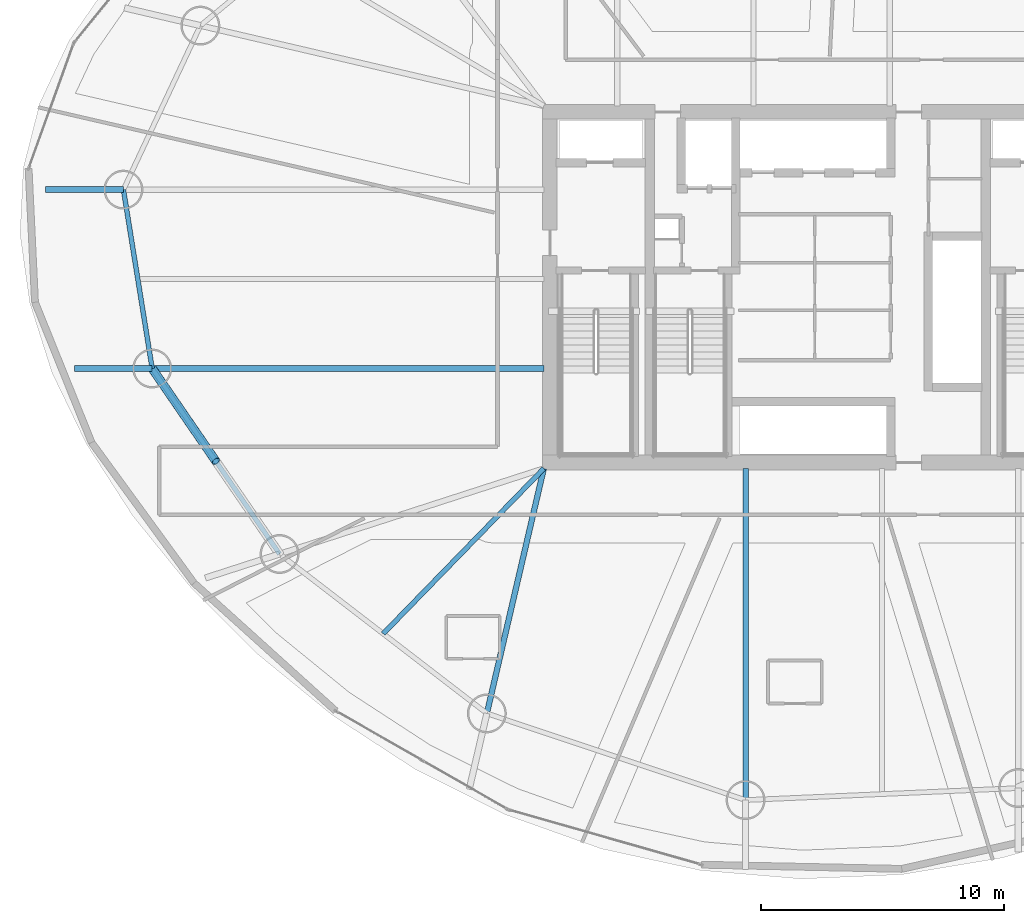
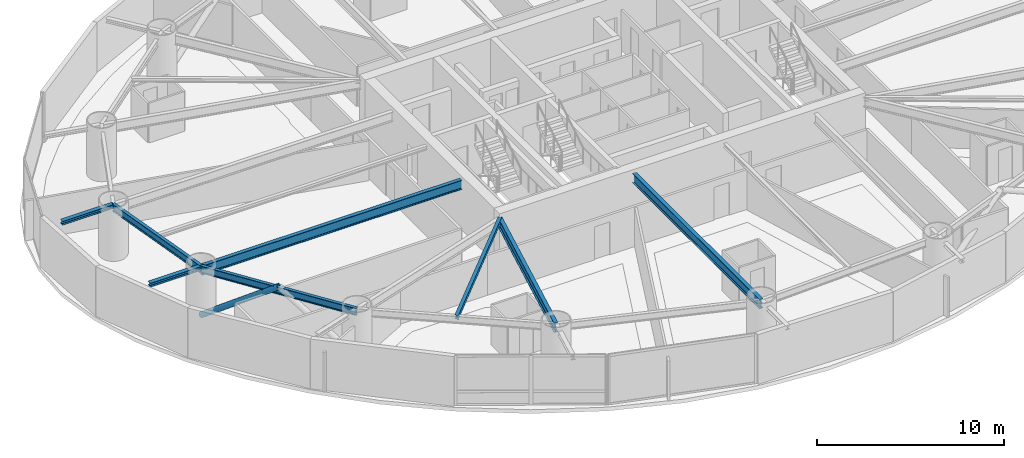
# One storey, part 4 of 23: 8 beams, 1 member.
"""IFC4 building model written with IfcOpenShell, lengths in metres."""

from ifc_helpers import new_model, si_unit, direction, frame, origin, origin_2d, place, context, subcontext, project, spatial, hollow_circle, i_section, extrude, material, material_profile, profile_set, type_object, element, save


model = new_model("IFC4")

# Units and contexts
model_context = context("Model", 3, precision=1e-05, world=origin(), true_north=direction((0.0, 1.0)))
body_context = subcontext(model_context, "Body", "Model", "MODEL_VIEW")
ifc_project = project(units=[si_unit("LENGTHUNIT", "METRE"), si_unit("AREAUNIT", "SQUARE_METRE"), si_unit("VOLUMEUNIT", "CUBIC_METRE"), si_unit("PLANEANGLEUNIT", "RADIAN"), si_unit("MASSUNIT", "GRAM", prefix="KILO")], contexts=[model_context])

# Site, building, storey
site_placement = place(None, origin())
site = spatial("IfcSite", under=ifc_project, at=site_placement, CompositionType="ELEMENT")
building_placement = place(site_placement, origin())
building = spatial("IfcBuilding", under=site, at=building_placement, Name="Bramvorn Convention Spire", CompositionType="ELEMENT")
storey_placement = place(building_placement, frame((0.0, 0.0, 69.39990234375)))
storey = spatial("IfcBuildingStorey", under=building, at=storey_placement, Name="L15", CompositionType="ELEMENT", Elevation=69.39990234375)

# Beams
ifc_material = material(Name="Steel CSA G40.21 Grade 350 (350W)", Category="steel")
ifc_material_profile_1 = material_profile(ifc_material, i_section(OverallWidth=0.201904296875, OverallDepth=0.2470703125, WebThickness=0.00732421875, FlangeThickness=0.010986328125, FilletRadius=0.011962890625, at=origin_2d()))
ifc_profile_set_1 = profile_set([ifc_material_profile_1], Name="Steel CSA G40.21 Grade 350 (350W) - W250X49")
beam_type_1 = type_object("IfcBeamType", Name="BM-W250X49", PredefinedType="JOIST", material=ifc_profile_set_1)
beam_1_placement = place(storey_placement, frame((26.75, 18.550048828125, 3.126708984375), z_axis=(-0.697157225069, -0.716918268378, 0.0), x_axis=(0.716918268378, -0.697157225069, 0.0)))
element("IfcBeam", 1, at=beam_1_placement, inside=storey, type_object=beam_type_1, Name="L15 composite floor joist 11", PredefinedType="JOIST", context=body_context, shape_type="SweptSolid", body=[
    extrude(i_section(OverallWidth=0.201904296875, OverallDepth=0.2470703125, WebThickness=0.00732421875, FlangeThickness=0.010986328125, FilletRadius=0.011962890625, at=origin_2d()), origin(), (0.0, 0.0, 1.0), 9.463623046875),
])
ifc_material_profile_2 = material_profile(ifc_material, i_section(OverallWidth=0.25390625, OverallDepth=0.2529296875, WebThickness=0.008544921875, FlangeThickness=0.01416015625, FilletRadius=0.011962890625, at=origin_2d()))
ifc_profile_set_2 = profile_set([ifc_material_profile_2], Name="Steel CSA G40.21 Grade 350 (350W) - W250X73")
beam_type_2 = type_object("IfcBeamType", Name="BM-W250X73", PredefinedType="BEAM", material=ifc_profile_set_2)
for number, where, z_axis, x_axis, name in (
    (2, (9.480224609375, 30.00830078125, 3.12353515625), (-1.0, 0.0, 0.0), (0.0, -1.0, 0.0), "L15 slab-edge cantilever tip beam MC09"),
    (3, (10.661376953125, 22.659912109375, 3.12353515625), (-1.0, 0.0, 0.0), (0.0, -1.0, 0.0), "L15 slab-edge cantilever tip beam MC10"),
):
    element("IfcBeam", number, at=place(storey_placement, frame(where, z_axis=z_axis, x_axis=x_axis)), inside=storey, type_object=beam_type_2, Name=name, PredefinedType="BEAM", context=body_context, shape_type="SweptSolid", body=[
        extrude(i_section(OverallWidth=0.25390625, OverallDepth=0.2529296875, WebThickness=0.008544921875, FlangeThickness=0.01416015625, FilletRadius=0.011962890625, at=origin_2d()), origin(), (0.0, 0.0, 1.0), 3.199951171875),
    ])
ifc_material_profile_3 = material_profile(ifc_material, i_section(OverallWidth=0.194091796875, OverallDepth=0.468994140625, WebThickness=0.0126953125, FlangeThickness=0.0205078125, FilletRadius=0.01806640625, at=origin_2d()))
ifc_profile_set_3 = profile_set([ifc_material_profile_3], Name="Steel CSA G40.21 Grade 350 (350W) - W460X106")
beam_type_3 = type_object("IfcBeamType", Name="BM-W460X106", PredefinedType="SPANDREL", material=ifc_profile_set_3)
beam_2_placement = place(storey_placement, frame((9.480224609375, 30.00830078125, 3.015625), z_axis=(0.158699222824, -0.987326975563, 0.0), x_axis=(0.987326975563, 0.158699222824, 0.0)))
element("IfcBeam", 4, at=beam_2_placement, inside=storey, type_object=beam_type_3, Name="L15 mega-column ring beam 09", PredefinedType="SPANDREL", context=body_context, shape_type="SweptSolid", body=[
    extrude(i_section(OverallWidth=0.194091796875, OverallDepth=0.468994140625, WebThickness=0.0126953125, FlangeThickness=0.0205078125, FilletRadius=0.01806640625, at=origin_2d()), origin(), (0.0, 0.0, 1.0), 7.442626953125),
])
beam_3_placement = place(storey_placement, frame((10.661376953125, 22.659912109375, 3.015625), z_axis=(0.566129730789, -0.824316157743, 0.0), x_axis=(0.824316157743, 0.566129730789, 0.0)))
element("IfcBeam", 5, at=beam_3_placement, inside=storey, type_object=beam_type_3, Name="L15 mega-column ring beam 10", PredefinedType="SPANDREL", context=body_context, shape_type="SweptSolid", body=[
    extrude(i_section(OverallWidth=0.194091796875, OverallDepth=0.468994140625, WebThickness=0.0126953125, FlangeThickness=0.0205078125, FilletRadius=0.01806640625, at=origin_2d()), origin(), (0.0, 0.0, 1.0), 9.244140625),
])
ifc_material_profile_4 = material_profile(ifc_material, i_section(OverallWidth=0.22998046875, OverallDepth=0.616943359375, WebThickness=0.01318359375, FlangeThickness=0.022216796875, FilletRadius=0.02001953125, at=origin_2d()))
ifc_profile_set_4 = profile_set([ifc_material_profile_4], Name="Steel CSA G40.21 Grade 350 (350W) - W610X140")
beam_type_4 = type_object("IfcBeamType", Name="BM-W610X140", PredefinedType="BEAM", material=ifc_profile_set_4)
beam_4_placement = place(storey_placement, frame((26.75, 22.659912109375, 2.941650390625), z_axis=(-1.0, 0.0, 0.0), x_axis=(0.0, -1.0, 0.0)))
element("IfcBeam", 6, at=beam_4_placement, inside=storey, type_object=beam_type_4, Name="L15 radial floor girder MC10", PredefinedType="BEAM", context=body_context, shape_type="SweptSolid", body=[
    extrude(i_section(OverallWidth=0.22998046875, OverallDepth=0.616943359375, WebThickness=0.01318359375, FlangeThickness=0.022216796875, FilletRadius=0.02001953125, at=origin_2d()), origin(), (0.0, 0.0, 1.0), 16.088623046875),
])
beam_5_placement = place(storey_placement, frame((26.75, 18.550048828125, 2.941650390625), z_axis=(-0.226606328522, -0.973986433106, 0.0), x_axis=(0.973986433106, -0.226606328522, 0.0)))
element("IfcBeam", 7, at=beam_5_placement, inside=storey, type_object=beam_type_4, Name="L15 radial floor girder MC12", PredefinedType="BEAM", context=body_context, shape_type="SweptSolid", body=[
    extrude(i_section(OverallWidth=0.22998046875, OverallDepth=0.616943359375, WebThickness=0.01318359375, FlangeThickness=0.022216796875, FilletRadius=0.02001953125, at=origin_2d()), origin(), (0.0, 0.0, 1.0), 10.32763671875),
])
beam_6_placement = place(storey_placement, frame((35.0390625, 18.550048828125, 2.941650390625), z_axis=(0.0, -1.0, 0.0), x_axis=(1.0, 0.0, 0.0)))
element("IfcBeam", 8, at=beam_6_placement, inside=storey, type_object=beam_type_4, Name="L15 radial floor girder MC13", PredefinedType="BEAM", context=body_context, shape_type="SweptSolid", body=[
    extrude(i_section(OverallWidth=0.22998046875, OverallDepth=0.616943359375, WebThickness=0.01318359375, FlangeThickness=0.022216796875, FilletRadius=0.02001953125, at=origin_2d()), origin(), (0.0, 0.0, 1.0), 13.618896484375),
])

# Member
ifc_material_profile_5 = material_profile(ifc_material, hollow_circle(Radius=0.177734375, WallThickness=0.015869140625, at=origin_2d()))
ifc_profile_set_5 = profile_set([ifc_material_profile_5], Name="Steel CSA G40.21 Grade 350 (350W) - CHS356X16")
member_type = type_object("IfcMemberType", Name="MBR-CHS356X16", PredefinedType="BRACE", material=ifc_profile_set_5)
member_placement = place(storey_placement, frame((10.661376953125, 22.659912109375, 0.0), z_axis=(0.463106048325, -0.674307985647, 0.575188254833), x_axis=(0.824316157743, 0.566129730789, 0.0)))
element("IfcMember", 9, at=member_placement, inside=storey, type_object=member_type, Name="L15 perimeter Gothic lancet brace 10A", PredefinedType="BRACE", context=body_context, shape_type="SweptSolid", body=[
    extrude(hollow_circle(Radius=0.177734375, WallThickness=0.015869140625, at=origin_2d()), origin(), (0.0, 0.0, 1.0), 5.650390625),
])

save(model, "model.ifc")
